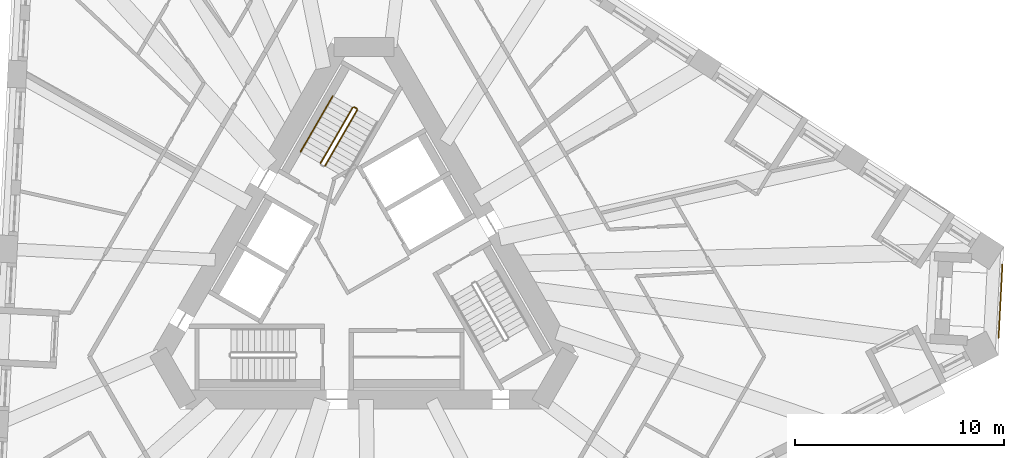
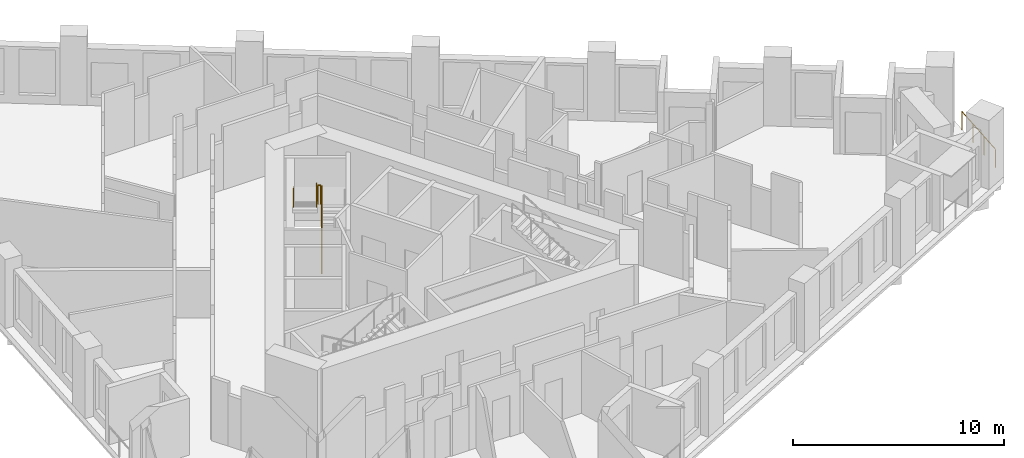
# One storey, part 12 of 13: 5 railings.
"""IFC4 building model written with IfcOpenShell, lengths in metres."""

import ifcopenshell
import ifcopenshell.guid

model = None  # the IFC model being written
_history = None  # IfcOwnerHistory: only IFC2X3 demands one
_inside = {}  # id of a spatial element -> (the spatial element, [elements in it])
_under = {}  # id of a project, library or spatial element -> (it, [spatial elements below it])
_declared = {}  # id of a project -> (the project, [libraries it declares])
_typed = {}  # id of a type object -> (the type object, [elements of that type])
_made_of = {}  # id of a material, layer set ... -> (it, [elements and type objects made of it])


def new_model(schema):
    """Start an empty IFC model of exactly this schema.

    Asked for "IFC4X3", IfcOpenShell would pick the latest addendum, in which some entities
    have other attributes; the version numbers below select the first issue.
    IFC2X3 requires an IfcOwnerHistory on every rooted entity: one is made here for all.
    """
    global model, _history
    if schema == "IFC4X3":
        model = ifcopenshell.file(schema_version=(4, 3, 0, 0))
    else:
        model = ifcopenshell.file(schema=schema)
    _inside.clear()
    _under.clear()
    _declared.clear()
    _typed.clear()
    _made_of.clear()
    _history = None
    if model.schema == "IFC2X3":
        org = make("IfcOrganization", Name="unknown")
        user = make(
            "IfcPersonAndOrganization",
            ThePerson=make("IfcPerson", FamilyName="unknown"),
            TheOrganization=org,
        )
        app = make(
            "IfcApplication",
            ApplicationDeveloper=org,
            Version="unknown",
            ApplicationFullName="unknown",
            ApplicationIdentifier="unknown",
        )
        _history = make(
            "IfcOwnerHistory",
            OwningUser=user,
            OwningApplication=app,
            ChangeAction="ADDED",
            CreationDate=0,
        )
    return model


def make(cls, **values):
    """One entity of the class cls with the attributes given. An attribute that is None is left unset."""
    return model.create_entity(
        cls, **{name: value for name, value in values.items() if value is not None}
    )


def rooted(cls, **values):
    """An entity with a GlobalId (a new one), such as an element, a storey or a relation."""
    return make(cls, GlobalId=ifcopenshell.guid.new(), OwnerHistory=_history, **values)


def si_unit(unit_type, name, prefix=None):
    """IfcSIUnit, for example si_unit("LENGTHUNIT", "METRE", prefix="MILLI")."""
    return make("IfcSIUnit", UnitType=unit_type, Prefix=prefix, Name=name)


def assignment(units):
    """IfcUnitAssignment: the units of a project."""
    return None if units is None else make("IfcUnitAssignment", Units=units)


def point(xyz):
    """IfcCartesianPoint."""
    return None if xyz is None else make("IfcCartesianPoint", Coordinates=xyz)


def direction(xyz):
    """IfcDirection."""
    return None if xyz is None else make("IfcDirection", DirectionRatios=xyz)


def frame(location, z_axis=None, x_axis=None):
    """IfcAxis2Placement3D, a coordinate frame: its origin and axes. An axis left out is left unset."""
    return make(
        "IfcAxis2Placement3D",
        Location=point(location),
        Axis=direction(z_axis),
        RefDirection=direction(x_axis),
    )


def frame_2d(location, x_axis=None):
    """IfcAxis2Placement2D, a coordinate frame in the plane: its origin and x axis."""
    return make(
        "IfcAxis2Placement2D", Location=point(location), RefDirection=direction(x_axis)
    )


def origin():
    """The frame at (0, 0, 0) with its axes left unset."""
    return frame((0.0, 0.0, 0.0))


def origin_2d():
    """The frame at (0, 0) in the plane with its x axis left unset."""
    return frame_2d((0.0, 0.0))


def place(relative_to, where):
    """IfcLocalPlacement: puts the frame where relative to a parent placement (None: the world)."""
    return make(
        "IfcLocalPlacement", PlacementRelTo=relative_to, RelativePlacement=where
    )


def context(
    kind, dimensions, precision=None, world=None, true_north=None, identifier=None
):
    """IfcGeometricRepresentationContext, for example the 3D "Model" context."""
    return make(
        "IfcGeometricRepresentationContext",
        ContextIdentifier=identifier,
        ContextType=kind,
        CoordinateSpaceDimension=dimensions,
        Precision=precision,
        WorldCoordinateSystem=world,
        TrueNorth=true_north,
    )


def subcontext(parent, identifier, kind, view, scale=None):
    """IfcGeometricRepresentationSubContext, for example "Body" below "Model"."""
    return make(
        "IfcGeometricRepresentationSubContext",
        ContextIdentifier=identifier,
        ContextType=kind,
        ParentContext=parent,
        TargetScale=scale,
        TargetView=view,
    )


def project(units=None, contexts=None):
    """IfcProject with its units and contexts."""
    return rooted(
        "IfcProject",
        Name="project",
        RepresentationContexts=contexts,
        UnitsInContext=assignment(units),
    )


def spatial(cls, under=None, at=None, **own):
    """A site, building, storey or space (cls), placed at a placement, below another one or the project."""
    s = rooted(cls, ObjectPlacement=at, **own)
    if under is not None:
        _under.setdefault(under.id(), (under, []))[1].append(s)
    return s


def profile(cls, at=None, kind="AREA", **sizes):
    """A parametric profile (cls). Its sizes go by their IFC names, for example OverallWidth=200.0."""
    return make(cls, ProfileType=kind, Position=at, **sizes)


def circle(**sizes):
    """IfcCircleProfileDef."""
    return profile("IfcCircleProfileDef", **sizes)


def extrude(swept, where, along, depth):
    """IfcExtrudedAreaSolid: the profile swept, set in the frame where, extruded along a direction by depth."""
    return make(
        "IfcExtrudedAreaSolid",
        SweptArea=swept,
        Position=where,
        ExtrudedDirection=direction(along),
        Depth=depth,
    )


def shape(context_of_items, identifier, shape_type, items):
    """IfcShapeRepresentation: the items that make up one representation, for example the "Body"."""
    return make(
        "IfcShapeRepresentation",
        ContextOfItems=context_of_items,
        RepresentationIdentifier=identifier,
        RepresentationType=shape_type,
        Items=items,
    )


def material(Name=None, Category=None):
    """IfcMaterial."""
    return make("IfcMaterial", Name=Name, Category=Category)


def made_of(thing, what):
    """Note that an element or type object is made of a material, layer set ...; save() writes the relation."""
    if what is not None:
        _made_of.setdefault(what.id(), (what, []))[1].append(thing)
    return thing


def type_object(cls, material=None, **own):
    """A type object (cls), such as IfcWallType, which elements share."""
    return made_of(rooted(cls, **own), material)


def element(
    cls,
    number,
    at=None,
    inside=None,
    cuts=None,
    type_object=None,
    material=None,
    context=None,
    identifier="Body",
    shape_type=None,
    held_by="IfcProductDefinitionShape",
    body=None,
    shapes=None,
    **own,
):
    """One element of the class cls, such as IfcWall. Its Tag is "e" and its number.

    at: its placement. inside: the storey or other place that contains it. cuts: it is an
    opening in that element (IfcRelVoidsElement). A single representation is given by context,
    identifier, shape_type and body (its items); several are given by shapes. held_by: the class
    of the entity that holds the representations. save() writes the other relations.
    """
    e = rooted(cls, Tag="e%d" % number, ObjectPlacement=at, **own)
    if body is not None:
        shapes = [shape(context, identifier, shape_type, body)]
    if shapes is not None:
        e.Representation = make(held_by, Representations=shapes)
    if inside is not None:
        _inside.setdefault(inside.id(), (inside, []))[1].append(e)
    if cuts is not None:
        rooted(
            "IfcRelVoidsElement", RelatingBuildingElement=cuts, RelatedOpeningElement=e
        )
    if type_object is not None:
        _typed.setdefault(type_object.id(), (type_object, []))[1].append(e)
    return made_of(e, material)


def aggregate(whole, parts):
    """IfcRelAggregates: a whole, such as a stair, and the parts it consists of."""
    return rooted("IfcRelAggregates", RelatingObject=whole, RelatedObjects=parts)


def save(model, path):
    """Write the relations noted so far, then the file.

    IfcRelAggregates (storeys below a building ...), IfcRelContainedInSpatialStructure (elements
    in a storey), IfcRelDefinesByType, IfcRelAssociatesMaterial and IfcRelDeclares: one each for
    every whole, place, type object, material and project.
    """
    for whole, parts in _under.values():
        aggregate(whole, parts)
    for where, things in _inside.values():
        rooted(
            "IfcRelContainedInSpatialStructure",
            RelatedElements=things,
            RelatingStructure=where,
        )
    for kind, things in _typed.values():
        rooted("IfcRelDefinesByType", RelatedObjects=things, RelatingType=kind)
    for what, things in _made_of.values():
        rooted("IfcRelAssociatesMaterial", RelatedObjects=things, RelatingMaterial=what)
    for by, libraries in _declared.values():
        rooted("IfcRelDeclares", RelatingContext=by, RelatedDefinitions=libraries)
    model.write(path)


model = new_model("IFC4")

# Units and contexts
model_context = context("Model", 3, precision=1e-05, world=origin(), true_north=direction((0.0, 1.0)))
body_context = subcontext(model_context, "Body", "Model", "MODEL_VIEW")
ifc_project = project(units=[si_unit("LENGTHUNIT", "METRE"), si_unit("AREAUNIT", "SQUARE_METRE"), si_unit("VOLUMEUNIT", "CUBIC_METRE"), si_unit("PLANEANGLEUNIT", "RADIAN"), si_unit("MASSUNIT", "GRAM", prefix="KILO")], contexts=[model_context])

# Site, building, storey
site_placement = place(None, origin())
site = spatial("IfcSite", under=ifc_project, at=site_placement, CompositionType="ELEMENT")
building_placement = place(site_placement, origin())
building = spatial("IfcBuilding", under=site, at=building_placement, Name="Tramontana Tower", CompositionType="ELEMENT")
storey_placement = place(building_placement, frame((0.0, 0.0, 153.60009765625)))
storey = spatial("IfcBuildingStorey", under=building, at=storey_placement, Name="L35", CompositionType="ELEMENT", Elevation=153.60009765625)

# Railings
ifc_material_1 = material(Name="Laminated glass balustrade", Category="glass")
railing_type_1 = type_object("IfcRailingType", Name="GD1 Loggia glass balustrade 1100", PredefinedType="BALUSTRADE", material=ifc_material_1)
railing_1_placement = place(storey_placement, frame((30.519775390625, 0.15283203125, 0.0)))
element("IfcRailing", 1, at=railing_1_placement, inside=storey, type_object=railing_type_1, Name="Corner loggia balustrade L35 K32", PredefinedType="BALUSTRADE", context=body_context, shape_type="SweptSolid", body=[
    extrude(circle(Radius=0.02392578125, at=origin_2d()), frame((0.0, 0.0, 1.076171875), z_axis=(-0.052317189757, -0.998630518088, 0.0), x_axis=(0.998630518088, -0.052317189757, 0.0)), (0.0, 0.0, 1.0), 3.5),
    extrude(circle(Radius=0.02099609375, at=origin_2d()), origin(), (0.0, 0.0, 1.0), 1.052001953125),
    extrude(circle(Radius=0.02099609375, at=origin_2d()), frame((-0.06103515625, -1.1650390625, 0.0)), (0.0, 0.0, 1.0), 1.052001953125),
    extrude(circle(Radius=0.02099609375, at=origin_2d()), frame((-0.1220703125, -2.330078125, 0.0)), (0.0, 0.0, 1.0), 1.052001953125),
    extrude(circle(Radius=0.02099609375, at=origin_2d()), frame((-0.18310546875, -3.4951171875, 0.0)), (0.0, 0.0, 1.0), 1.052001953125),
])
ifc_material_2 = material(Name="Painted steel", Category="steel")
railing_type_2 = type_object("IfcRailingType", Name="STAIR GUARD 1100", PredefinedType="GUARDRAIL", material=ifc_material_2)
railing_2_placement = place(storey_placement, frame((-1.867431640625, 4.865478515625, 0.16650390625)))
element("IfcRailing", 2, at=railing_2_placement, inside=storey, type_object=railing_type_2, Name="L35 ST1 stair guard 1", PredefinedType="GUARDRAIL", context=body_context, shape_type="SweptSolid", body=[
    extrude(circle(Radius=0.02392578125, at=origin_2d()), frame((0.0, 0.0, 1.076171875), z_axis=(0.429634447492, 0.7441639146, 0.511502013422), x_axis=(-0.866029832698, 0.499992328818, 0.0)), (0.0, 0.0, 1.0), 3.58447265625),
    extrude(circle(Radius=0.02099609375, at=origin_2d()), origin(), (0.0, 0.0, 1.0), 1.052001953125),
    extrude(circle(Radius=0.02099609375, at=origin_2d()), frame((0.513427734375, 0.88916015625, 0.611083984375)), (0.0, 0.0, 1.0), 1.052001953125),
    extrude(circle(Radius=0.02099609375, at=origin_2d()), frame((1.026611328125, 1.7783203125, 1.222412109375)), (0.0, 0.0, 1.0), 1.052001953125),
    extrude(circle(Radius=0.02099609375, at=origin_2d()), frame((1.5400390625, 2.66748046875, 1.83349609375)), (0.0, 0.0, 1.0), 1.052001953125),
])
railing_3_placement = place(storey_placement, frame((-0.5439453125, 7.657958984375, 2.16650390625)))
element("IfcRailing", 3, at=railing_3_placement, inside=storey, type_object=railing_type_2, Name="L35 ST1 stair guard 2", PredefinedType="GUARDRAIL", context=body_context, shape_type="SweptSolid", body=[
    extrude(circle(Radius=0.02392578125, at=origin_2d()), frame((0.0, 0.0, 1.076171875), z_axis=(-0.429634447492, -0.7441639146, 0.511502013422), x_axis=(0.866029832698, -0.499992328818, 0.0)), (0.0, 0.0, 1.0), 3.58447265625),
    extrude(circle(Radius=0.02099609375, at=origin_2d()), origin(), (0.0, 0.0, 1.0), 1.052001953125),
    extrude(circle(Radius=0.02099609375, at=origin_2d()), frame((-0.513427734375, -0.88916015625, 0.611083984375)), (0.0, 0.0, 1.0), 1.052001953125),
    extrude(circle(Radius=0.02099609375, at=origin_2d()), frame((-1.026611328125, -1.7783203125, 1.222412109375)), (0.0, 0.0, 1.0), 1.052001953125),
    extrude(circle(Radius=0.02099609375, at=origin_2d()), frame((-1.5400390625, -2.66748046875, 1.83349609375)), (0.0, 0.0, 1.0), 1.052001953125),
])
railing_4_placement = place(storey_placement, frame((-0.345703125, 7.601318359375, 2.0)))
element("IfcRailing", 4, at=railing_4_placement, inside=storey, type_object=railing_type_2, Name="L35 ST1 stair guard 3", PredefinedType="GUARDRAIL", context=body_context, shape_type="SweptSolid", body=[
    extrude(circle(Radius=0.02392578125, at=origin_2d()), frame((0.0, 0.0, 1.076171875), z_axis=(-0.866131372301, 0.499816412211, 0.0), x_axis=(-0.499816412211, -0.866131372301, 0.0)), (0.0, 0.0, 1.0), 0.14990234375),
    extrude(circle(Radius=0.02099609375, at=origin_2d()), origin(), (0.0, 0.0, 1.0), 1.052001953125),
    extrude(circle(Radius=0.02099609375, at=origin_2d()), frame((-0.1298828125, 0.074951171875, 0.0)), (0.0, 0.0, 1.0), 1.052001953125),
])
ifc_material_3 = material(Name="Painted steel", Category="steel")
railing_type_3 = type_object("IfcRailingType", Name="STAIR HANDRAIL 900", PredefinedType="HANDRAIL", material=ifc_material_3)
railing_5_placement = place(storey_placement, frame((-1.49658203125, 8.2080078125, 2.16650390625)))
element("IfcRailing", 5, at=railing_5_placement, inside=storey, type_object=railing_type_3, Name="L35 ST1 stair handrail 2", PredefinedType="HANDRAIL", context=body_context, shape_type="SweptSolid", body=[
    extrude(circle(Radius=0.02392578125, at=origin_2d()), frame((0.0, 0.0, 0.8759765625), z_axis=(-0.429634447492, -0.7441639146, 0.511502013422), x_axis=(0.866029832698, -0.499992328818, 0.0)), (0.0, 0.0, 1.0), 3.58447265625),
    extrude(circle(Radius=0.02099609375, at=origin_2d()), origin(), (0.0, 0.0, 1.0), 0.851806640625),
    extrude(circle(Radius=0.02099609375, at=origin_2d()), frame((-0.513427734375, -0.88916015625, 0.611083984375)), (0.0, 0.0, 1.0), 0.851806640625),
    extrude(circle(Radius=0.02099609375, at=origin_2d()), frame((-1.026611328125, -1.7783203125, 1.222412109375)), (0.0, 0.0, 1.0), 0.851806640625),
    extrude(circle(Radius=0.02099609375, at=origin_2d()), frame((-1.5400390625, -2.66748046875, 1.83349609375)), (0.0, 0.0, 1.0), 0.851806640625),
])

save(model, "model.ifc")
